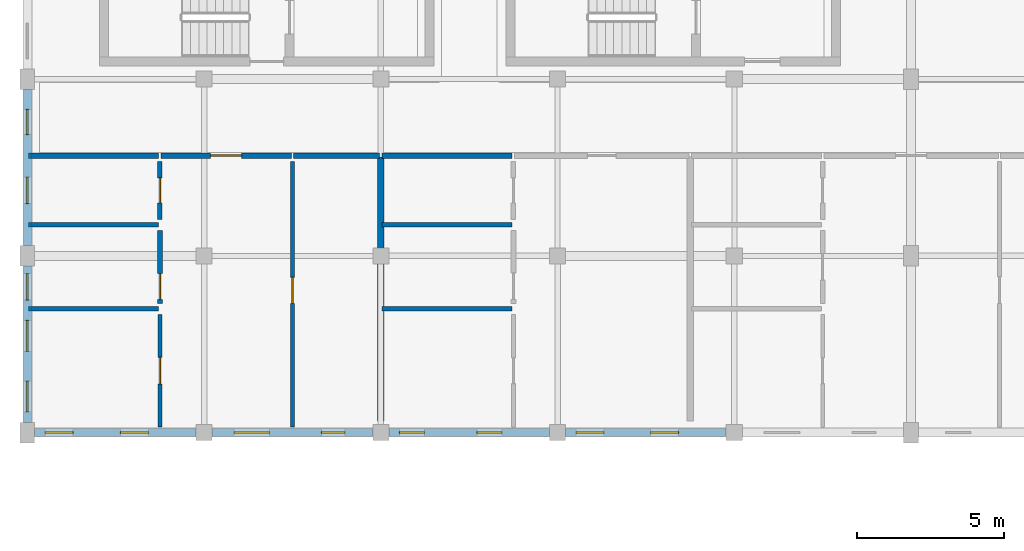
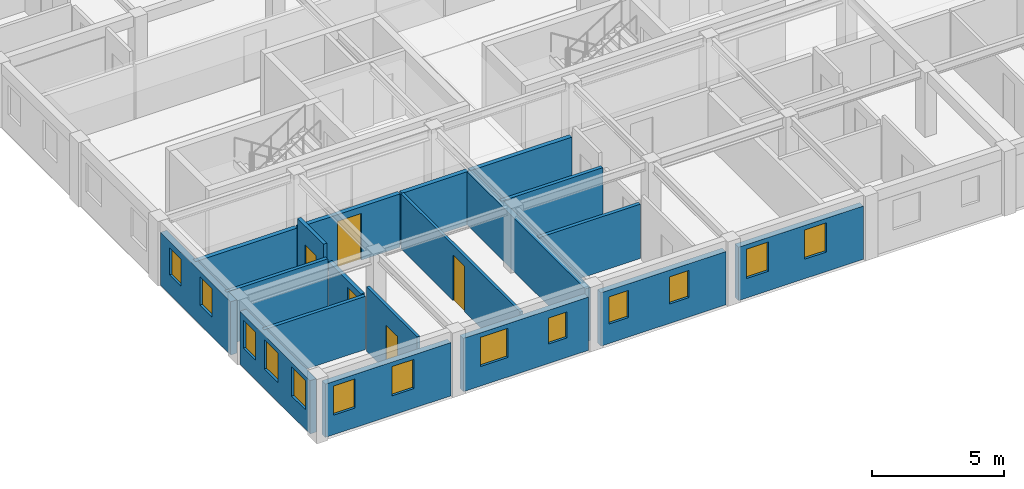
# One storey, part 6 of 28: 19 walls, 13 windows, 5 doors, 18 openings.
"""IFC4 building model written with IfcOpenShell, lengths in metres."""

from ifc_helpers import new_model, si_unit, direction, frame, frame_2d, origin, place, context, subcontext, project, spatial, rectangle, extrude, material, layer, layer_set, type_object, element, fill, save


model = new_model("IFC4")

# Units and contexts
model_context = context("Model", 3, precision=1e-05, world=origin(), true_north=direction((0.0, 1.0)))
body_context = subcontext(model_context, "Body", "Model", "MODEL_VIEW")
ifc_project = project(units=[si_unit("LENGTHUNIT", "METRE"), si_unit("AREAUNIT", "SQUARE_METRE"), si_unit("VOLUMEUNIT", "CUBIC_METRE"), si_unit("PLANEANGLEUNIT", "RADIAN"), si_unit("MASSUNIT", "GRAM", prefix="KILO"), si_unit("POWERUNIT", "WATT"), si_unit("THERMODYNAMICTEMPERATUREUNIT", "KELVIN")], contexts=[model_context])

# Site, building, storey
site_placement = place(None, origin())
site = spatial("IfcSite", under=ifc_project, at=site_placement, CompositionType="ELEMENT")
building_placement = place(site_placement, origin())
building = spatial("IfcBuilding", under=site, at=building_placement, Name="Ruvembo Vaulted Housing Court", CompositionType="ELEMENT")
storey_placement = place(building_placement, frame((0.0, 0.0, 23.699951171875)))
storey = spatial("IfcBuildingStorey", under=building, at=storey_placement, Name="L07", CompositionType="ELEMENT", Elevation=23.699951171875)

# Wall
ifc_material_1 = material(Name="Concrete Blockwork 190", Category="masonry")
ifc_layer_1 = layer(ifc_material_1, 0.18994140625, Name="Concrete Blockwork 190")
ifc_layer_set_1 = layer_set([ifc_layer_1], Name="Concrete Blockwork 190")
wall_type_1 = type_object("IfcWallType", Name="WL-CORR-190", PredefinedType="SOLIDWALL", material=ifc_layer_set_1)
wall_1_placement = place(storey_placement, frame((0.0400390625, 15.39990234375, 0.0), z_axis=(0.0, 0.0, 1.0), x_axis=(1.0, 0.0, 0.0)))
element("IfcWall", 1, at=wall_1_placement, inside=storey, type_object=wall_type_1, Name="L07 Flat A-L07-S1 Corridor Wall WL-INT-L07-01863", PredefinedType="SOLIDWALL", context=body_context, shape_type="SweptSolid", body=[
    extrude(rectangle(XDim=4.419921875, YDim=0.18994140625, at=frame_2d((2.2099609375, 0.0))), origin(), (0.0, 0.0, 1.0), 2.45703125),
])

# Wall, opening, door
wall_2_placement = place(storey_placement, frame((4.5400390625, 15.39990234375, 0.0), z_axis=(0.0, 0.0, 1.0), x_axis=(1.0, 0.0, 0.0)))
wall_2 = element("IfcWall", 2, at=wall_2_placement, inside=storey, type_object=wall_type_1, Name="L07 Flat A-L07-S1 Entrance WL-INT-L07-01864", PredefinedType="SOLIDWALL", context=body_context, shape_type="SweptSolid", body=[
    extrude(rectangle(XDim=4.419921875, YDim=0.18994140625, at=frame_2d((2.2099609375, 0.0))), origin(), (0.0, 0.0, 1.0), 2.4580078125),
])
opening_1_placement = place(wall_2_placement, frame((1.68505859375, 0.0, 0.0)))
opening_1 = element("IfcOpeningElement", 3, at=opening_1_placement, cuts=wall_2, Name="Opening FD3", PredefinedType="OPENING", context=body_context, shape_type="SweptSolid", body=[
    extrude(rectangle(XDim=1.050048828125, YDim=2.14990234375, at=frame_2d((0.52490234375, 1.074951171875))), frame((0.0, 0.10498046875, 0.0), z_axis=(0.0, -1.0, 0.0), x_axis=(1.0, 0.0, 0.0)), (0.0, 0.0, 1.0), 0.2099609375),
])
ifc_material_2 = material(Name="FSC Hardwood and Engineered Timber", Category="wood")
door_type_1 = type_object("IfcDoorType", Name="DR-FLAT-1050x2150", OperationType="NOTDEFINED", PredefinedType="DOOR", material=ifc_material_2)
door_1_placement = place(opening_1_placement, origin())
door_1 = element("IfcDoor", 4, at=door_1_placement, inside=storey, type_object=door_type_1, Name="L07 Flat A-L07-S1 Entrance Door DR-INT-L07-01049", OperationType="SINGLE_SWING_LEFT", OverallHeight=2.14990234375, OverallWidth=1.050048828125, PredefinedType="DOOR", context=body_context, shape_type="SweptSolid", body=[
    extrude(rectangle(XDim=1.050048828125, YDim=2.14990234375, at=frame_2d((0.52490234375, 1.074951171875))), frame((0.0, 0.02490234375, 0.0), z_axis=(0.0, -1.0, 0.0), x_axis=(1.0, 0.0, 0.0)), (0.0, 0.0, 1.0), 0.050048828125),
])
fill(opening_1, door_1)

# Walls
wall_3_placement = place(storey_placement, frame((9.0400390625, 15.39990234375, 0.0), z_axis=(0.0, 0.0, 1.0), x_axis=(1.0, 0.0, 0.0)))
element("IfcWall", 5, at=wall_3_placement, inside=storey, type_object=wall_type_1, Name="L07 Flat A-L07-S1 Corridor Wall 2 WL-INT-L07-01870", PredefinedType="SOLIDWALL", context=body_context, shape_type="SweptSolid", body=[
    extrude(rectangle(XDim=2.919921875, YDim=0.18994140625, at=frame_2d((1.4599609375, 0.0))), origin(), (0.0, 0.0, 1.0), 2.4580078125),
])
wall_4_placement = place(storey_placement, frame((12.0400390625, 15.39990234375, 0.0), z_axis=(0.0, 0.0, 1.0), x_axis=(1.0, 0.0, 0.0)))
element("IfcWall", 6, at=wall_4_placement, inside=storey, type_object=wall_type_1, Name="L07 Flat A-L07-S2 Corridor Wall WL-INT-L07-01873", PredefinedType="SOLIDWALL", context=body_context, shape_type="SweptSolid", body=[
    extrude(rectangle(XDim=4.419921875, YDim=0.18994140625, at=frame_2d((2.2099609375, 0.0))), origin(), (0.0, 0.0, 1.0), 2.4580078125),
])
ifc_material_3 = material(Name="Acoustic Masonry Demising 230", Category="masonry")
ifc_layer_2 = layer(ifc_material_3, 0.22998046875, Name="Acoustic Masonry Demising 230")
ifc_layer_set_2 = layer_set([ifc_layer_2], Name="Acoustic Masonry Demising 230")
wall_type_2 = type_object("IfcWallType", Name="WL-DEM-230", PredefinedType="SOLIDWALL", material=ifc_layer_set_2)
wall_5_placement = place(storey_placement, frame((12.0, 6.389892578125, 0.0), z_axis=(0.0, 0.0, 1.0), x_axis=(0.0, 1.0, 0.0)))
element("IfcWall", 7, at=wall_5_placement, inside=storey, type_object=wall_type_2, Name="L07 Demising A-L07-S1 WL-INT-L07-01862", PredefinedType="SOLIDWALL", context=body_context, shape_type="SweptSolid", body=[
    extrude(rectangle(XDim=8.97021484375, YDim=0.22998046875, at=frame_2d((4.485107421875, 0.0))), origin(), (0.0, 0.0, 1.0), 2.4580078125),
])

# Wall, openings, windows
ifc_material_4 = material(Name="Rendered Masonry 270", Category="masonry")
ifc_layer_3 = layer(ifc_material_4, 0.27001953125, Name="Rendered Masonry 270")
ifc_layer_set_3 = layer_set([ifc_layer_3], Name="Rendered Masonry 270")
wall_type_3 = type_object("IfcWallType", Name="WL-EXT-270", PredefinedType="STANDARD", material=ifc_layer_set_3)
wall_6_placement = place(storey_placement, frame((0.25, 6.0, 0.0), z_axis=(0.0, 0.0, 1.0), x_axis=(1.0, 0.0, 0.0)))
wall_6 = element("IfcWall", 8, at=wall_6_placement, inside=storey, type_object=wall_type_3, Name="Block A L07 Exterior Wall STREET #1", PredefinedType="STANDARD", context=body_context, shape_type="SweptSolid", body=[
    extrude(rectangle(XDim=5.47509765625, YDim=0.27001953125, at=frame_2d((2.737548828125, 0.0))), origin(), (0.0, 0.0, 1.0), 2.45703125),
])
opening_2_placement = place(wall_6_placement, frame((0.35009765625, 0.0, 0.89990234375)))
opening_2 = element("IfcOpeningElement", 9, at=opening_2_placement, cuts=wall_6, Name="Opening W07", PredefinedType="OPENING", context=body_context, shape_type="SweptSolid", body=[
    extrude(rectangle(XDim=0.949951171875, YDim=1.35009765625, at=frame_2d((0.47509765625, 0.675048828125))), frame((0.0, 0.14501953125, 0.0), z_axis=(0.0, -1.0, 0.0), x_axis=(1.0, 0.0, 0.0)), (0.0, 0.0, 1.0), 0.2900390625),
])
opening_3_placement = place(wall_6_placement, frame((2.909912109375, 0.0, 0.89990234375)))
opening_3 = element("IfcOpeningElement", 10, at=opening_3_placement, cuts=wall_6, Name="Opening W07", PredefinedType="OPENING", context=body_context, shape_type="SweptSolid", body=[
    extrude(rectangle(XDim=0.949951171875, YDim=1.35009765625, at=frame_2d((0.47509765625, 0.675048828125))), frame((0.0, 0.14501953125, 0.0), z_axis=(0.0, -1.0, 0.0), x_axis=(1.0, 0.0, 0.0)), (0.0, 0.0, 1.0), 0.2900390625),
])
ifc_material_5 = material(Name="Double Solar-Control Glazing in Aluminium Frame", Category="aluminium")
window_type_1 = type_object("IfcWindowType", Name="WIN-0950x1350", PartitioningType="SINGLE_PANEL", PredefinedType="WINDOW", material=ifc_material_5)
window_1_placement = place(opening_2_placement, origin())
window_1 = element("IfcWindow", 11, at=window_1_placement, inside=storey, type_object=window_type_1, Name="Block A L07 Window #297", OverallHeight=1.35009765625, OverallWidth=0.949951171875, PartitioningType="SINGLE_PANEL", PredefinedType="WINDOW", context=body_context, shape_type="SweptSolid", body=[
    extrude(rectangle(XDim=0.949951171875, YDim=1.35009765625, at=frame_2d((0.47509765625, 0.675048828125))), frame((0.0, 0.030029296875, 0.0), z_axis=(0.0, -1.0, 0.0), x_axis=(1.0, 0.0, 0.0)), (0.0, 0.0, 1.0), 0.06005859375),
])
fill(opening_2, window_1)
window_2_placement = place(opening_3_placement, origin())
window_2 = element("IfcWindow", 12, at=window_2_placement, inside=storey, type_object=window_type_1, Name="Block A L07 Window #298", OverallHeight=1.35009765625, OverallWidth=0.949951171875, PartitioningType="SINGLE_PANEL", PredefinedType="WINDOW", context=body_context, shape_type="SweptSolid", body=[
    extrude(rectangle(XDim=0.949951171875, YDim=1.35009765625, at=frame_2d((0.47509765625, 0.675048828125))), frame((0.0, 0.030029296875, 0.0), z_axis=(0.0, -1.0, 0.0), x_axis=(1.0, 0.0, 0.0)), (0.0, 0.0, 1.0), 0.06005859375),
])
fill(opening_3, window_2)

wall_7_placement = place(storey_placement, frame((6.27490234375, 6.0, 0.0), z_axis=(0.0, 0.0, 1.0), x_axis=(1.0, 0.0, 0.0)))
wall_7 = element("IfcWall", 13, at=wall_7_placement, inside=storey, type_object=wall_type_3, Name="Block A L07 Exterior Wall STREET #2", PredefinedType="STANDARD", context=body_context, shape_type="SweptSolid", body=[
    extrude(rectangle(XDim=5.4501953125, YDim=0.27001953125, at=frame_2d((2.72509765625, 0.0))), origin(), (0.0, 0.0, 1.0), 2.45703125),
])
opening_4_placement = place(wall_7_placement, frame((0.742431640625, 0.0, 0.89990234375)))
opening_4 = element("IfcOpeningElement", 14, at=opening_4_placement, cuts=wall_7, Name="Opening W12", PredefinedType="OPENING", context=body_context, shape_type="SweptSolid", body=[
    extrude(rectangle(XDim=1.199951171875, YDim=1.35009765625, at=frame_2d((0.60009765625, 0.675048828125))), frame((0.0, 0.14501953125, 0.0), z_axis=(0.0, -1.0, 0.0), x_axis=(1.0, 0.0, 0.0)), (0.0, 0.0, 1.0), 0.2900390625),
])
opening_5_placement = place(wall_7_placement, frame((3.70751953125, 0.0, 0.89990234375)))
opening_5 = element("IfcOpeningElement", 15, at=opening_5_placement, cuts=wall_7, Name="Opening W02", PredefinedType="OPENING", context=body_context, shape_type="SweptSolid", body=[
    extrude(rectangle(XDim=0.800048828125, YDim=1.199951171875, at=frame_2d((0.39990234375, 0.60009765625))), frame((0.0, 0.14501953125, 0.0), z_axis=(0.0, -1.0, 0.0), x_axis=(1.0, 0.0, 0.0)), (0.0, 0.0, 1.0), 0.2900390625),
])
window_type_2 = type_object("IfcWindowType", Name="WIN-0800x1200", PartitioningType="SINGLE_PANEL", PredefinedType="WINDOW", material=ifc_material_5)
window_3_placement = place(opening_5_placement, origin())
window_3 = element("IfcWindow", 16, at=window_3_placement, inside=storey, type_object=window_type_2, Name="Block A L07 Window #300", OverallHeight=1.199951171875, OverallWidth=0.800048828125, PartitioningType="SINGLE_PANEL", PredefinedType="WINDOW", context=body_context, shape_type="SweptSolid", body=[
    extrude(rectangle(XDim=0.800048828125, YDim=1.199951171875, at=frame_2d((0.39990234375, 0.60009765625))), frame((0.0, 0.030029296875, 0.0), z_axis=(0.0, -1.0, 0.0), x_axis=(1.0, 0.0, 0.0)), (0.0, 0.0, 1.0), 0.06005859375),
])
fill(opening_5, window_3)
window_type_3 = type_object("IfcWindowType", Name="WIN-1200x1350", PartitioningType="SINGLE_PANEL", PredefinedType="WINDOW", material=ifc_material_5)
window_4_placement = place(opening_4_placement, origin())
window_4 = element("IfcWindow", 17, at=window_4_placement, inside=storey, type_object=window_type_3, Name="Block A L07 Window #299", OverallHeight=1.35009765625, OverallWidth=1.199951171875, PartitioningType="SINGLE_PANEL", PredefinedType="WINDOW", context=body_context, shape_type="SweptSolid", body=[
    extrude(rectangle(XDim=1.199951171875, YDim=1.35009765625, at=frame_2d((0.60009765625, 0.675048828125))), frame((0.0, 0.030029296875, 0.0), z_axis=(0.0, -1.0, 0.0), x_axis=(1.0, 0.0, 0.0)), (0.0, 0.0, 1.0), 0.06005859375),
])
fill(opening_4, window_4)

wall_8_placement = place(storey_placement, frame((12.27490234375, 6.0, 0.0), z_axis=(0.0, 0.0, 1.0), x_axis=(1.0, 0.0, 0.0)))
wall_8 = element("IfcWall", 18, at=wall_8_placement, inside=storey, type_object=wall_type_3, Name="Block A L07 Exterior Wall STREET #3", PredefinedType="STANDARD", context=body_context, shape_type="SweptSolid", body=[
    extrude(rectangle(XDim=5.4501953125, YDim=0.27001953125, at=frame_2d((2.72509765625, 0.0))), origin(), (0.0, 0.0, 1.0), 2.45703125),
])
opening_6_placement = place(wall_8_placement, frame((0.35009765625, 0.0, 0.89990234375)))
opening_6 = element("IfcOpeningElement", 19, at=opening_6_placement, cuts=wall_8, Name="Opening W03", PredefinedType="OPENING", context=body_context, shape_type="SweptSolid", body=[
    extrude(rectangle(XDim=0.85009765625, YDim=1.25, at=frame_2d((0.425048828125, 0.625))), frame((0.0, 0.14501953125, 0.0), z_axis=(0.0, -1.0, 0.0), x_axis=(1.0, 0.0, 0.0)), (0.0, 0.0, 1.0), 0.2900390625),
])
opening_7_placement = place(wall_8_placement, frame((2.985107421875, 0.0, 0.89990234375)))
opening_7 = element("IfcOpeningElement", 20, at=opening_7_placement, cuts=wall_8, Name="Opening W03", PredefinedType="OPENING", context=body_context, shape_type="SweptSolid", body=[
    extrude(rectangle(XDim=0.85009765625, YDim=1.25, at=frame_2d((0.425048828125, 0.625))), frame((0.0, 0.14501953125, 0.0), z_axis=(0.0, -1.0, 0.0), x_axis=(1.0, 0.0, 0.0)), (0.0, 0.0, 1.0), 0.2900390625),
])
window_type_4 = type_object("IfcWindowType", Name="WIN-0850x1250", PartitioningType="SINGLE_PANEL", PredefinedType="WINDOW", material=ifc_material_5)
window_5_placement = place(opening_6_placement, origin())
window_5 = element("IfcWindow", 21, at=window_5_placement, inside=storey, type_object=window_type_4, Name="Block A L07 Window #301", OverallHeight=1.25, OverallWidth=0.85009765625, PartitioningType="SINGLE_PANEL", PredefinedType="WINDOW", context=body_context, shape_type="SweptSolid", body=[
    extrude(rectangle(XDim=0.85009765625, YDim=1.25, at=frame_2d((0.425048828125, 0.625))), frame((0.0, 0.030029296875, 0.0), z_axis=(0.0, -1.0, 0.0), x_axis=(1.0, 0.0, 0.0)), (0.0, 0.0, 1.0), 0.06005859375),
])
fill(opening_6, window_5)
window_6_placement = place(opening_7_placement, origin())
window_6 = element("IfcWindow", 22, at=window_6_placement, inside=storey, type_object=window_type_4, Name="Block A L07 Window #302", OverallHeight=1.25, OverallWidth=0.85009765625, PartitioningType="SINGLE_PANEL", PredefinedType="WINDOW", context=body_context, shape_type="SweptSolid", body=[
    extrude(rectangle(XDim=0.85009765625, YDim=1.25, at=frame_2d((0.425048828125, 0.625))), frame((0.0, 0.030029296875, 0.0), z_axis=(0.0, -1.0, 0.0), x_axis=(1.0, 0.0, 0.0)), (0.0, 0.0, 1.0), 0.06005859375),
])
fill(opening_7, window_6)

wall_9_placement = place(storey_placement, frame((18.27490234375, 6.0, 0.0), z_axis=(0.0, 0.0, 1.0), x_axis=(1.0, 0.0, 0.0)))
wall_9 = element("IfcWall", 23, at=wall_9_placement, inside=storey, type_object=wall_type_3, Name="Block A L07 Exterior Wall STREET #4", PredefinedType="STANDARD", context=body_context, shape_type="SweptSolid", body=[
    extrude(rectangle(XDim=5.4501953125, YDim=0.27001953125, at=frame_2d((2.72509765625, 0.0))), origin(), (0.0, 0.0, 1.0), 2.45703125),
])
opening_8_placement = place(wall_9_placement, frame((0.35009765625, 0.0, 0.89990234375)))
opening_8 = element("IfcOpeningElement", 24, at=opening_8_placement, cuts=wall_9, Name="Opening W07", PredefinedType="OPENING", context=body_context, shape_type="SweptSolid", body=[
    extrude(rectangle(XDim=0.949951171875, YDim=1.35009765625, at=frame_2d((0.47509765625, 0.675048828125))), frame((0.0, 0.14501953125, 0.0), z_axis=(0.0, -1.0, 0.0), x_axis=(1.0, 0.0, 0.0)), (0.0, 0.0, 1.0), 0.2900390625),
])
opening_9_placement = place(wall_9_placement, frame((2.885009765625, 0.0, 0.89990234375)))
opening_9 = element("IfcOpeningElement", 25, at=opening_9_placement, cuts=wall_9, Name="Opening W07", PredefinedType="OPENING", context=body_context, shape_type="SweptSolid", body=[
    extrude(rectangle(XDim=0.949951171875, YDim=1.35009765625, at=frame_2d((0.47509765625, 0.675048828125))), frame((0.0, 0.14501953125, 0.0), z_axis=(0.0, -1.0, 0.0), x_axis=(1.0, 0.0, 0.0)), (0.0, 0.0, 1.0), 0.2900390625),
])
window_7_placement = place(opening_8_placement, origin())
window_7 = element("IfcWindow", 26, at=window_7_placement, inside=storey, type_object=window_type_1, Name="Block A L07 Window #303", OverallHeight=1.35009765625, OverallWidth=0.949951171875, PartitioningType="SINGLE_PANEL", PredefinedType="WINDOW", context=body_context, shape_type="SweptSolid", body=[
    extrude(rectangle(XDim=0.949951171875, YDim=1.35009765625, at=frame_2d((0.47509765625, 0.675048828125))), frame((0.0, 0.030029296875, 0.0), z_axis=(0.0, -1.0, 0.0), x_axis=(1.0, 0.0, 0.0)), (0.0, 0.0, 1.0), 0.06005859375),
])
fill(opening_8, window_7)
window_8_placement = place(opening_9_placement, origin())
window_8 = element("IfcWindow", 27, at=window_8_placement, inside=storey, type_object=window_type_1, Name="Block A L07 Window #304", OverallHeight=1.35009765625, OverallWidth=0.949951171875, PartitioningType="SINGLE_PANEL", PredefinedType="WINDOW", context=body_context, shape_type="SweptSolid", body=[
    extrude(rectangle(XDim=0.949951171875, YDim=1.35009765625, at=frame_2d((0.47509765625, 0.675048828125))), frame((0.0, 0.030029296875, 0.0), z_axis=(0.0, -1.0, 0.0), x_axis=(1.0, 0.0, 0.0)), (0.0, 0.0, 1.0), 0.06005859375),
])
fill(opening_9, window_8)

wall_10_placement = place(storey_placement, frame((0.0, 17.64990234375, 0.0), z_axis=(0.0, 0.0, 1.0), x_axis=(0.0, -1.0, 0.0)))
wall_10 = element("IfcWall", 28, at=wall_10_placement, inside=storey, type_object=wall_type_3, Name="Block A L07 Exterior Wall WEST #4", PredefinedType="STANDARD", context=body_context, shape_type="SweptSolid", body=[
    extrude(rectangle(XDim=5.2998046875, YDim=0.27001953125, at=frame_2d((2.64990234375, 0.0))), origin(), (0.0, 0.0, 1.0), 2.45703125),
])
opening_10_placement = place(wall_10_placement, frame((0.679931640625, 0.0, 0.89990234375)))
opening_10 = element("IfcOpeningElement", 29, at=opening_10_placement, cuts=wall_10, Name="Opening W03", PredefinedType="OPENING", context=body_context, shape_type="SweptSolid", body=[
    extrude(rectangle(XDim=0.85009765625, YDim=1.25, at=frame_2d((0.425048828125, 0.625))), frame((0.0, 0.14501953125, 0.0), z_axis=(0.0, -1.0, 0.0), x_axis=(1.0, 0.0, 0.0)), (0.0, 0.0, 1.0), 0.2900390625),
])
opening_11_placement = place(wall_10_placement, frame((2.97509765625, 0.0, 0.89990234375)))
opening_11 = element("IfcOpeningElement", 30, at=opening_11_placement, cuts=wall_10, Name="Opening W04", PredefinedType="OPENING", context=body_context, shape_type="SweptSolid", body=[
    extrude(rectangle(XDim=0.89990234375, YDim=1.300048828125, at=frame_2d((0.449951171875, 0.64990234375))), frame((0.0, 0.14501953125, 0.0), z_axis=(0.0, -1.0, 0.0), x_axis=(1.0, 0.0, 0.0)), (0.0, 0.0, 1.0), 0.2900390625),
])
window_9_placement = place(opening_10_placement, origin())
window_9 = element("IfcWindow", 31, at=window_9_placement, inside=storey, type_object=window_type_4, Name="Block A L07 Window #337", OverallHeight=1.25, OverallWidth=0.85009765625, PartitioningType="SINGLE_PANEL", PredefinedType="WINDOW", context=body_context, shape_type="SweptSolid", body=[
    extrude(rectangle(XDim=0.85009765625, YDim=1.25, at=frame_2d((0.425048828125, 0.625))), frame((0.0, 0.030029296875, 0.0), z_axis=(0.0, -1.0, 0.0), x_axis=(1.0, 0.0, 0.0)), (0.0, 0.0, 1.0), 0.06005859375),
])
fill(opening_10, window_9)
window_type_5 = type_object("IfcWindowType", Name="WIN-0900x1300", PartitioningType="SINGLE_PANEL", PredefinedType="WINDOW", material=ifc_material_5)
window_10_placement = place(opening_11_placement, origin())
window_10 = element("IfcWindow", 32, at=window_10_placement, inside=storey, type_object=window_type_5, Name="Block A L07 Window #338", OverallHeight=1.300048828125, OverallWidth=0.89990234375, PartitioningType="SINGLE_PANEL", PredefinedType="WINDOW", context=body_context, shape_type="SweptSolid", body=[
    extrude(rectangle(XDim=0.89990234375, YDim=1.300048828125, at=frame_2d((0.449951171875, 0.64990234375))), frame((0.0, 0.030029296875, 0.0), z_axis=(0.0, -1.0, 0.0), x_axis=(1.0, 0.0, 0.0)), (0.0, 0.0, 1.0), 0.06005859375),
])
fill(opening_11, window_10)

wall_11_placement = place(storey_placement, frame((0.0, 11.64990234375, 0.0), z_axis=(0.0, 0.0, 1.0), x_axis=(0.0, -1.0, 0.0)))
wall_11 = element("IfcWall", 33, at=wall_11_placement, inside=storey, type_object=wall_type_3, Name="Block A L07 Exterior Wall WEST #5", PredefinedType="STANDARD", context=body_context, shape_type="SweptSolid", body=[
    extrude(rectangle(XDim=5.2998046875, YDim=0.27001953125, at=frame_2d((2.64990234375, 0.0))), origin(), (0.0, 0.0, 1.0), 2.45703125),
])
opening_12_placement = place(wall_11_placement, frame((0.2548828125, 0.0, 0.89990234375)))
opening_12 = element("IfcOpeningElement", 34, at=opening_12_placement, cuts=wall_11, Name="Opening W04", PredefinedType="OPENING", context=body_context, shape_type="SweptSolid", body=[
    extrude(rectangle(XDim=0.89990234375, YDim=1.300048828125, at=frame_2d((0.449951171875, 0.64990234375))), frame((0.0, 0.14501953125, 0.0), z_axis=(0.0, -1.0, 0.0), x_axis=(1.0, 0.0, 0.0)), (0.0, 0.0, 1.0), 0.2900390625),
])
opening_13_placement = place(wall_11_placement, frame((1.840087890625, 0.0, 0.89990234375)))
opening_13 = element("IfcOpeningElement", 35, at=opening_13_placement, cuts=wall_11, Name="Opening W09", PredefinedType="OPENING", context=body_context, shape_type="SweptSolid", body=[
    extrude(rectangle(XDim=1.050048828125, YDim=1.35009765625, at=frame_2d((0.52490234375, 0.675048828125))), frame((0.0, 0.14501953125, 0.0), z_axis=(0.0, -1.0, 0.0), x_axis=(1.0, 0.0, 0.0)), (0.0, 0.0, 1.0), 0.2900390625),
])
opening_14_placement = place(wall_11_placement, frame((3.89990234375, 0.0, 0.89990234375)))
opening_14 = element("IfcOpeningElement", 36, at=opening_14_placement, cuts=wall_11, Name="Opening W09", PredefinedType="OPENING", context=body_context, shape_type="SweptSolid", body=[
    extrude(rectangle(XDim=1.050048828125, YDim=1.35009765625, at=frame_2d((0.52490234375, 0.675048828125))), frame((0.0, 0.14501953125, 0.0), z_axis=(0.0, -1.0, 0.0), x_axis=(1.0, 0.0, 0.0)), (0.0, 0.0, 1.0), 0.2900390625),
])
window_11_placement = place(opening_12_placement, origin())
window_11 = element("IfcWindow", 37, at=window_11_placement, inside=storey, type_object=window_type_5, Name="Block A L07 Window #339", OverallHeight=1.300048828125, OverallWidth=0.89990234375, PartitioningType="SINGLE_PANEL", PredefinedType="WINDOW", context=body_context, shape_type="SweptSolid", body=[
    extrude(rectangle(XDim=0.89990234375, YDim=1.300048828125, at=frame_2d((0.449951171875, 0.64990234375))), frame((0.0, 0.030029296875, 0.0), z_axis=(0.0, -1.0, 0.0), x_axis=(1.0, 0.0, 0.0)), (0.0, 0.0, 1.0), 0.06005859375),
])
fill(opening_12, window_11)
window_type_6 = type_object("IfcWindowType", Name="WIN-1050x1350", PartitioningType="SINGLE_PANEL", PredefinedType="WINDOW", material=ifc_material_5)
window_12_placement = place(opening_13_placement, origin())
window_12 = element("IfcWindow", 38, at=window_12_placement, inside=storey, type_object=window_type_6, Name="Block A L07 Window #340", OverallHeight=1.35009765625, OverallWidth=1.050048828125, PartitioningType="SINGLE_PANEL", PredefinedType="WINDOW", context=body_context, shape_type="SweptSolid", body=[
    extrude(rectangle(XDim=1.050048828125, YDim=1.35009765625, at=frame_2d((0.52490234375, 0.675048828125))), frame((0.0, 0.030029296875, 0.0), z_axis=(0.0, -1.0, 0.0), x_axis=(1.0, 0.0, 0.0)), (0.0, 0.0, 1.0), 0.06005859375),
])
fill(opening_13, window_12)
window_13_placement = place(opening_14_placement, origin())
window_13 = element("IfcWindow", 39, at=window_13_placement, inside=storey, type_object=window_type_6, Name="Block A L07 Window #341", OverallHeight=1.35009765625, OverallWidth=1.050048828125, PartitioningType="SINGLE_PANEL", PredefinedType="WINDOW", context=body_context, shape_type="SweptSolid", body=[
    extrude(rectangle(XDim=1.050048828125, YDim=1.35009765625, at=frame_2d((0.52490234375, 0.675048828125))), frame((0.0, 0.030029296875, 0.0), z_axis=(0.0, -1.0, 0.0), x_axis=(1.0, 0.0, 0.0)), (0.0, 0.0, 1.0), 0.06005859375),
])
fill(opening_14, window_13)

# Wall, opening, door
ifc_material_6 = material(Name="Plasterboard Stud Partition 125", Category="gypsum")
ifc_layer_4 = layer(ifc_material_6, 0.125, Name="Plasterboard Stud Partition 125")
ifc_layer_set_4 = layer_set([ifc_layer_4], Name="Plasterboard Stud Partition 125")
wall_type_4 = type_object("IfcWallType", Name="WL-PART-125", PredefinedType="PARTITIONING", material=ifc_layer_set_4)
wall_12_placement = place(storey_placement, frame((4.5, 6.18994140625, 0.0), z_axis=(0.0, 0.0, 1.0), x_axis=(0.0, 1.0, 0.0)))
wall_12 = element("IfcWall", 40, at=wall_12_placement, inside=storey, type_object=wall_type_4, Name="L07 Flat A-L07-S1 Bedroom 1 WL-INT-L07-01865", PredefinedType="PARTITIONING", context=body_context, shape_type="SweptSolid", body=[
    extrude(rectangle(XDim=3.820068359375, YDim=0.125, at=frame_2d((1.91015625, 0.0))), origin(), (0.0, 0.0, 1.0), 2.97509765625),
])
opening_15_placement = place(wall_12_placement, frame((1.4599609375, 0.0, 0.0)))
opening_15 = element("IfcOpeningElement", 41, at=opening_15_placement, cuts=wall_12, Name="Opening ID1", PredefinedType="OPENING", context=body_context, shape_type="SweptSolid", body=[
    extrude(rectangle(XDim=0.89990234375, YDim=2.10009765625, at=frame_2d((0.449951171875, 1.050048828125))), frame((0.0, 0.072509765625, 0.0), z_axis=(0.0, -1.0, 0.0), x_axis=(1.0, 0.0, 0.0)), (0.0, 0.0, 1.0), 0.14501953125),
])
door_type_2 = type_object("IfcDoorType", Name="DR-ROOM-0900x2100", OperationType="NOTDEFINED", PredefinedType="DOOR", material=ifc_material_2)
door_2_placement = place(opening_15_placement, origin())
door_2 = element("IfcDoor", 42, at=door_2_placement, inside=storey, type_object=door_type_2, Name="L07 Flat A-L07-S1 Bedroom 1 Door DR-INT-L07-01050", OperationType="SINGLE_SWING_RIGHT", OverallHeight=2.10009765625, OverallWidth=0.89990234375, PredefinedType="DOOR", context=body_context, shape_type="SweptSolid", body=[
    extrude(rectangle(XDim=0.89990234375, YDim=2.10009765625, at=frame_2d((0.449951171875, 1.050048828125))), frame((0.0, 0.02490234375, 0.0), z_axis=(0.0, -1.0, 0.0), x_axis=(1.0, 0.0, 0.0)), (0.0, 0.0, 1.0), 0.050048828125),
])
fill(opening_15, door_2)

wall_13_placement = place(storey_placement, frame((9.0, 6.18994140625, 0.0), z_axis=(0.0, 0.0, 1.0), x_axis=(0.0, 1.0, 0.0)))
wall_13 = element("IfcWall", 43, at=wall_13_placement, inside=storey, type_object=wall_type_4, Name="L07 Flat A-L07-S1 Bedroom 2 WL-INT-L07-01871", PredefinedType="PARTITIONING", context=body_context, shape_type="SweptSolid", body=[
    extrude(rectangle(XDim=9.02001953125, YDim=0.125, at=frame_2d((4.510009765625, 0.0))), origin(), (0.0, 0.0, 1.0), 2.548095703125),
])
opening_16_placement = place(wall_13_placement, frame((4.199951171875, 0.0, 0.0)))
opening_16 = element("IfcOpeningElement", 44, at=opening_16_placement, cuts=wall_13, Name="Opening ID3", PredefinedType="OPENING", context=body_context, shape_type="SweptSolid", body=[
    extrude(rectangle(XDim=0.8798828125, YDim=2.10009765625, at=frame_2d((0.43994140625, 1.050048828125))), frame((0.0, 0.072509765625, 0.0), z_axis=(0.0, -1.0, 0.0), x_axis=(1.0, 0.0, 0.0)), (0.0, 0.0, 1.0), 0.14501953125),
])
door_type_3 = type_object("IfcDoorType", Name="DR-ROOM-0880x2100", OperationType="NOTDEFINED", PredefinedType="DOOR", material=ifc_material_2)
door_3_placement = place(opening_16_placement, origin())
door_3 = element("IfcDoor", 45, at=door_3_placement, inside=storey, type_object=door_type_3, Name="L07 Flat A-L07-S1 Bedroom 2 Door DR-INT-L07-01053", OperationType="SINGLE_SWING_LEFT", OverallHeight=2.10009765625, OverallWidth=0.8798828125, PredefinedType="DOOR", context=body_context, shape_type="SweptSolid", body=[
    extrude(rectangle(XDim=0.8798828125, YDim=2.10009765625, at=frame_2d((0.43994140625, 1.050048828125))), frame((0.0, 0.02490234375, 0.0), z_axis=(0.0, -1.0, 0.0), x_axis=(1.0, 0.0, 0.0)), (0.0, 0.0, 1.0), 0.050048828125),
])
fill(opening_16, door_3)

ifc_material_7 = material(Name="Moisture-Resistant Wet Partition 150", Category="gypsum")
ifc_layer_5 = layer(ifc_material_7, 0.14990234375, Name="Moisture-Resistant Wet Partition 150")
ifc_layer_set_5 = layer_set([ifc_layer_5], Name="Moisture-Resistant Wet Partition 150")
wall_type_5 = type_object("IfcWallType", Name="WL-PART-150", PredefinedType="PARTITIONING", material=ifc_layer_set_5)
wall_14_placement = place(storey_placement, frame((4.5, 13.239990234375, 0.0), z_axis=(0.0, 0.0, 1.0), x_axis=(0.0, 1.0, 0.0)))
wall_14 = element("IfcWall", 46, at=wall_14_placement, inside=storey, type_object=wall_type_5, Name="L07 Flat A-L07-S1 Bathroom WL-INT-L07-01867", PredefinedType="PARTITIONING", context=body_context, shape_type="SweptSolid", body=[
    extrude(rectangle(XDim=1.969970703125, YDim=0.14990234375, at=frame_2d((0.98486328125, 0.0))), origin(), (0.0, 0.0, 1.0), 2.97509765625),
])
opening_17_placement = place(wall_14_placement, frame((0.56005859375, 0.0, 0.0)))
opening_17 = element("IfcOpeningElement", 47, at=opening_17_placement, cuts=wall_14, Name="Opening ID2", PredefinedType="OPENING", context=body_context, shape_type="SweptSolid", body=[
    extrude(rectangle(XDim=0.85009765625, YDim=2.10009765625, at=frame_2d((0.425048828125, 1.050048828125))), frame((0.0, 0.0849609375, 0.0), z_axis=(0.0, -1.0, 0.0), x_axis=(1.0, 0.0, 0.0)), (0.0, 0.0, 1.0), 0.169921875),
])
door_type_4 = type_object("IfcDoorType", Name="DR-WET-0850x2100", OperationType="NOTDEFINED", PredefinedType="DOOR", material=ifc_material_2)
door_4_placement = place(opening_17_placement, origin())
door_4 = element("IfcDoor", 48, at=door_4_placement, inside=storey, type_object=door_type_4, Name="L07 Flat A-L07-S1 Bathroom Door DR-INT-L07-01052", OperationType="SINGLE_SWING_RIGHT", OverallHeight=2.10009765625, OverallWidth=0.85009765625, PredefinedType="DOOR", context=body_context, shape_type="SweptSolid", body=[
    extrude(rectangle(XDim=0.85009765625, YDim=2.10009765625, at=frame_2d((0.425048828125, 1.050048828125))), frame((0.0, 0.02490234375, 0.0), z_axis=(0.0, -1.0, 0.0), x_axis=(1.0, 0.0, 0.0)), (0.0, 0.0, 1.0), 0.050048828125),
])
fill(opening_17, door_4)

# Walls
for number, where, z_axis, x_axis, name in (
    (49, (0.0400390625, 10.199951171875, 0.0), (0.0, 0.0, 1.0), (1.0, 0.0, 0.0), "L07 Flat A-L07-S1 Wet Wall 1 WL-INT-L07-01868"),
    (50, (0.0400390625, 13.050048828125, 0.0), (0.0, 0.0, 1.0), (1.0, 0.0, 0.0), "L07 Flat A-L07-S1 Wet Wall 2 WL-INT-L07-01869"),
):
    element("IfcWall", number, at=place(storey_placement, frame(where, z_axis=z_axis, x_axis=x_axis)), inside=storey, type_object=wall_type_5, Name=name, PredefinedType="PARTITIONING", context=body_context, shape_type="SweptSolid", body=[
        extrude(rectangle(XDim=4.419921875, YDim=0.14990234375, at=frame_2d((2.2099609375, 0.0))), origin(), (0.0, 0.0, 1.0), 2.45703125),
    ])
wall_15_placement = place(storey_placement, frame((12.0400390625, 10.199951171875, 0.0), z_axis=(0.0, 0.0, 1.0), x_axis=(1.0, 0.0, 0.0)))
element("IfcWall", 51, at=wall_15_placement, inside=storey, type_object=wall_type_5, Name="L07 Flat A-L07-S2 Wet Wall 1 WL-INT-L07-01878", PredefinedType="PARTITIONING", context=body_context, shape_type="SweptSolid", body=[
    extrude(rectangle(XDim=4.419921875, YDim=0.14990234375, at=frame_2d((2.2099609375, 0.0))), origin(), (0.0, 0.0, 1.0), 2.508056640625),
])
wall_16_placement = place(storey_placement, frame((12.0400390625, 13.050048828125, 0.0), z_axis=(0.0, 0.0, 1.0), x_axis=(1.0, 0.0, 0.0)))
element("IfcWall", 52, at=wall_16_placement, inside=storey, type_object=wall_type_5, Name="L07 Flat A-L07-S2 Wet Wall 2 WL-INT-L07-01879", PredefinedType="PARTITIONING", context=body_context, shape_type="SweptSolid", body=[
    extrude(rectangle(XDim=4.419921875, YDim=0.14990234375, at=frame_2d((2.2099609375, 0.0))), origin(), (0.0, 0.0, 1.0), 2.4580078125),
])

# Wall, opening, door
ifc_material_8 = material(Name="Acoustic Service Chase Wall 160", Category="gypsum")
ifc_layer_6 = layer(ifc_material_8, 0.159912109375, Name="Acoustic Service Chase Wall 160")
ifc_layer_set_6 = layer_set([ifc_layer_6], Name="Acoustic Service Chase Wall 160")
wall_type_6 = type_object("IfcWallType", Name="WL-PLUMB-160", PredefinedType="PLUMBINGWALL", material=ifc_layer_set_6)
wall_17_placement = place(storey_placement, frame((4.5, 10.389892578125, 0.0), z_axis=(0.0, 0.0, 1.0), x_axis=(0.0, 1.0, 0.0)))
wall_17 = element("IfcWall", 53, at=wall_17_placement, inside=storey, type_object=wall_type_6, Name="L07 Flat A-L07-S1 Kitchen WL-INT-L07-01866", PredefinedType="PLUMBINGWALL", context=body_context, shape_type="SweptSolid", body=[
    extrude(rectangle(XDim=2.47021484375, YDim=0.159912109375, at=frame_2d((1.235107421875, 0.0))), origin(), (0.0, 0.0, 1.0), 2.407958984375),
])
opening_18_placement = place(wall_17_placement, frame((0.1298828125, 0.0, 0.0)))
opening_18 = element("IfcOpeningElement", 54, at=opening_18_placement, cuts=wall_17, Name="Opening ID3", PredefinedType="OPENING", context=body_context, shape_type="SweptSolid", body=[
    extrude(rectangle(XDim=0.8798828125, YDim=2.10009765625, at=frame_2d((0.43994140625, 1.050048828125))), frame((0.0, 0.08984375, 0.0), z_axis=(0.0, -1.0, 0.0), x_axis=(1.0, 0.0, 0.0)), (0.0, 0.0, 1.0), 0.179931640625),
])
door_5_placement = place(opening_18_placement, origin())
door_5 = element("IfcDoor", 55, at=door_5_placement, inside=storey, type_object=door_type_3, Name="L07 Flat A-L07-S1 Kitchen Door DR-INT-L07-01051", OperationType="SINGLE_SWING_LEFT", OverallHeight=2.10009765625, OverallWidth=0.8798828125, PredefinedType="DOOR", context=body_context, shape_type="SweptSolid", body=[
    extrude(rectangle(XDim=0.8798828125, YDim=2.10009765625, at=frame_2d((0.43994140625, 1.050048828125))), frame((0.0, 0.02490234375, 0.0), z_axis=(0.0, -1.0, 0.0), x_axis=(1.0, 0.0, 0.0)), (0.0, 0.0, 1.0), 0.050048828125),
])
fill(opening_18, door_5)

save(model, "model.ifc")
